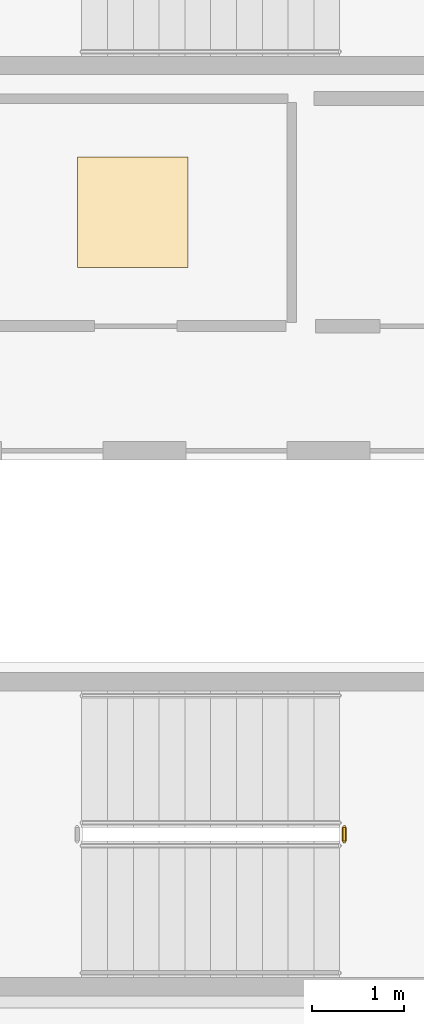
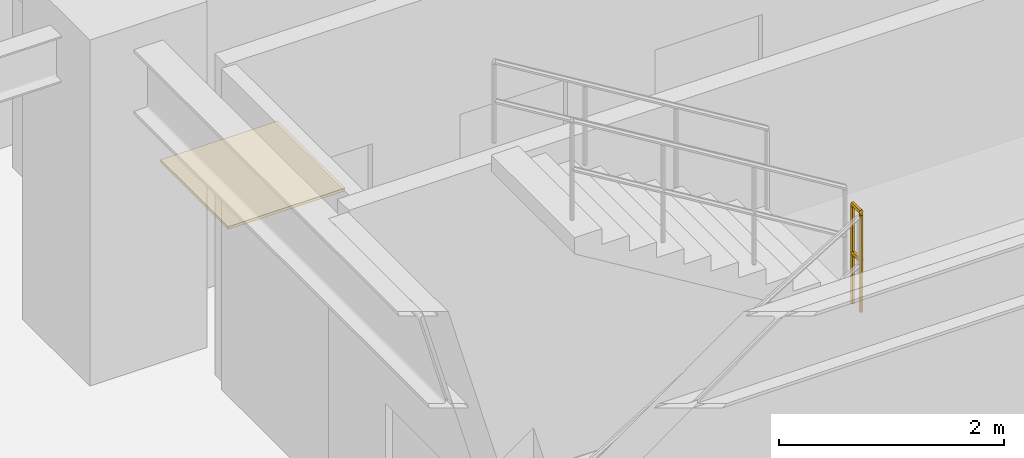
# One storey, part 27 of 29: 1 covering, 1 railing.
"""IFC4 building model written with IfcOpenShell, lengths in metres."""

from ifc_helpers import new_model, si_unit, direction, frame, origin, origin_2d, place, context, subcontext, project, spatial, polyline, rectangle, outline, extrude, source, transform, mapped, material, layer, layer_set, type_object, element, save


model = new_model("IFC4")

# Units and contexts
model_context = context("Model", 3, precision=1e-05, world=origin(), true_north=direction((0.0, 1.0)))
body_context = subcontext(model_context, "Body", "Model", "MODEL_VIEW")
ifc_project = project(units=[si_unit("LENGTHUNIT", "METRE"), si_unit("AREAUNIT", "SQUARE_METRE"), si_unit("VOLUMEUNIT", "CUBIC_METRE"), si_unit("PLANEANGLEUNIT", "RADIAN"), si_unit("MASSUNIT", "GRAM", prefix="KILO")], contexts=[model_context])

# Site, building, storey
site_placement = place(None, origin())
site = spatial("IfcSite", under=ifc_project, at=site_placement, CompositionType="ELEMENT")
building_placement = place(site_placement, origin())
building = spatial("IfcBuilding", under=site, at=building_placement, Name="Kelanora Arch Commons", CompositionType="ELEMENT")
storey_placement = place(building_placement, frame((0.0, 0.0, 135.60009765625)))
storey = spatial("IfcBuildingStorey", under=building, at=storey_placement, Name="L34", CompositionType="ELEMENT", Elevation=135.60009765625)

# Railing
ifc_material_1 = material(Name="Painted steel stair well guard", Category="steel")
railing_type = type_object("IfcRailingType", Name="RAIL-STAIR-GRD", PredefinedType="GUARDRAIL", material=ifc_material_1)
railing_placement = place(storey_placement, frame((70.570068359375, 52.659912109375, 1.875)))
element("IfcRailing", 1, at=railing_placement, inside=storey, type_object=railing_type, Name="L34 ST-T3 stair guard 2", PredefinedType="GUARDRAIL", context=body_context, shape_type="SweptSolid", body=[
    extrude(outline(polyline([(0.02392578125, 0.0), (0.011962890625, 0.020751953125), (-0.011962890625, 0.020751953125), (-0.02392578125, 0.0), (-0.011962890625, -0.020751953125), (0.011962890625, -0.020751953125), (0.02392578125, 0.0)])), frame((0.0, 0.0, 1.076171875), z_axis=(0.0, 1.0, 0.0), x_axis=(-1.0, 0.0, 0.0)), (0.0, 0.0, 1.0), 0.150146484375),
    extrude(outline(polyline([(0.02392578125, 0.0), (0.011962890625, 0.020751953125), (-0.011962890625, 0.020751953125), (-0.02392578125, 0.0), (-0.011962890625, -0.020751953125), (0.011962890625, -0.020751953125), (0.02392578125, 0.0)])), frame((0.0, 0.0, 0.550048828125), z_axis=(0.0, 1.0, 0.0), x_axis=(-1.0, 0.0, 0.0)), (0.0, 0.0, 1.0), 0.150146484375),
    extrude(outline(polyline([(0.02099609375, 0.0), (0.010498046875, 0.01806640625), (-0.010498046875, 0.01806640625), (-0.02099609375, 0.0), (-0.010498046875, -0.01806640625), (0.010498046875, -0.01806640625), (0.02099609375, 0.0)])), origin(), (0.0, 0.0, 1.0), 1.052001953125),
    extrude(outline(polyline([(0.02099609375, 0.0), (0.010498046875, 0.01806640625), (-0.010498046875, 0.01806640625), (-0.02099609375, 0.0), (-0.010498046875, -0.01806640625), (0.010498046875, -0.01806640625), (0.02099609375, 0.0)])), frame((0.0, 0.150146484375, 0.0)), (0.0, 0.0, 1.0), 1.052001953125),
])

# Covering
ifc_material_2 = material(Name="Polished local granite terrazzo flooring", Category="masonry")
ifc_layer = layer(ifc_material_2, 0.030029296875)
ifc_layer_set = layer_set([ifc_layer], Name="Polished local granite terrazzo flooring")
covering_type = type_object("IfcCoveringType", Name="COV-FLR-TER", PredefinedType="FLOORING", material=ifc_layer_set)
shared_shape = source(origin(), body_context, "Body", "SweptSolid", [
    extrude(rectangle(XDim=1.199951171875, YDim=1.199951171875, at=origin_2d()), origin(), (0.0, 0.0, 1.0), 0.030029296875),
])
covering_placement = place(storey_placement, frame((68.27490234375, 59.485107421875, 0.0), z_axis=(0.0, 0.0, 1.0), x_axis=(1.0, 0.0, 0.0)))
element("IfcCovering", 2, at=covering_placement, inside=storey, type_object=covering_type, Name="Reclaimed Core Quiet Phone Booths L34 Terrazzo Finish", PredefinedType="FLOORING", context=body_context, shape_type="MappedRepresentation", body=[
    mapped(shared_shape, transform((0.0, 0.0, 0.0), scale=1.0)),
])

save(model, "model.ifc")
